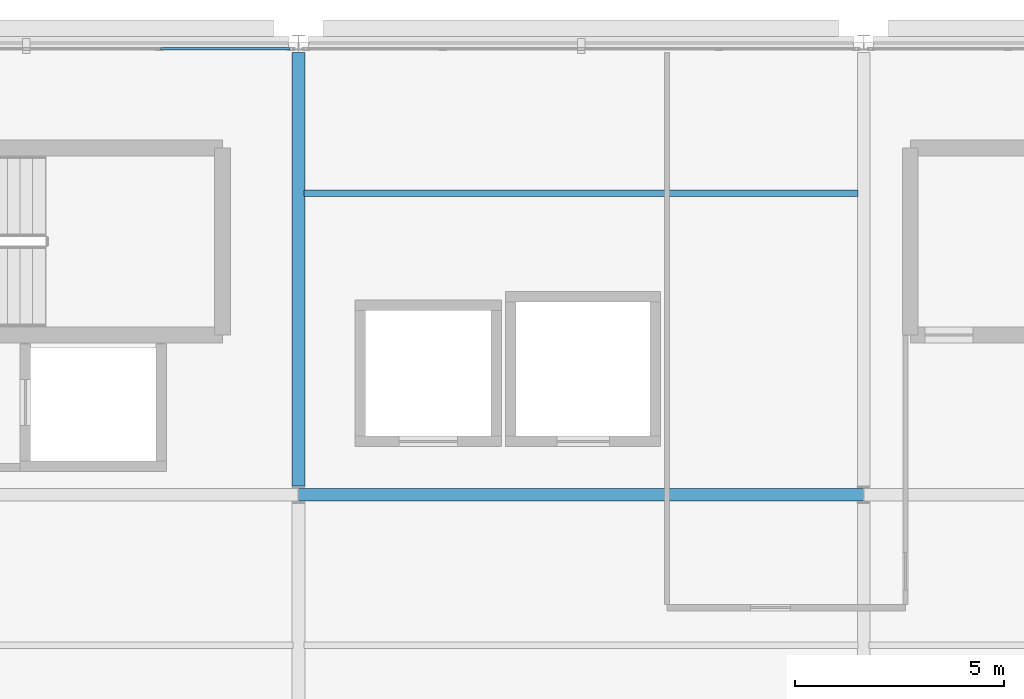
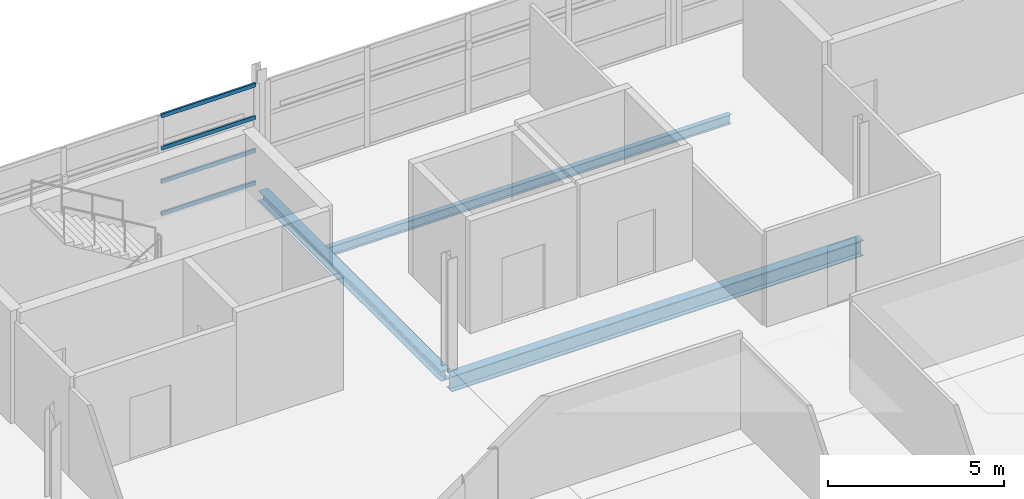
# One storey, part 21 of 33: 4 members, 3 beams, 1 element without a shape of its own.
"""IFC4 building model written with IfcOpenShell, lengths in metres."""

from ifc_helpers import new_model, si_unit, direction, frame, origin, origin_2d, place, context, subcontext, project, spatial, hollow_rectangle, i_section, extrude, material, layer, layer_set, material_profile, profile_set, type_object, element, aggregate, save


model = new_model("IFC4")

# Units and contexts
model_context = context("Model", 3, precision=1e-05, world=origin(), true_north=direction((0.0, 1.0)))
body_context = subcontext(model_context, "Body", "Model", "MODEL_VIEW")
ifc_project = project(units=[si_unit("LENGTHUNIT", "METRE"), si_unit("AREAUNIT", "SQUARE_METRE"), si_unit("VOLUMEUNIT", "CUBIC_METRE"), si_unit("PLANEANGLEUNIT", "RADIAN"), si_unit("MASSUNIT", "GRAM", prefix="KILO")], contexts=[model_context])

# Site, building, storey
site_placement = place(None, origin())
site = spatial("IfcSite", under=ifc_project, at=site_placement, CompositionType="ELEMENT")
building_placement = place(site_placement, origin())
building = spatial("IfcBuilding", under=site, at=building_placement, Name="Tamarisk Ironworks Central Station", CompositionType="ELEMENT")
storey_placement = place(building_placement, frame((0.0, 0.0, 21.300048828125)))
storey = spatial("IfcBuildingStorey", under=building, at=storey_placement, Name="L04", CompositionType="ELEMENT", Elevation=21.300048828125)

# Beams
ifc_material_1 = material(Name="Structural steel S355J2", Category="steel")
ifc_material_profile_1 = material_profile(ifc_material_1, i_section(OverallWidth=0.159912109375, OverallDepth=0.330078125, WebThickness=0.007568359375, FlangeThickness=0.011474609375, at=origin_2d()), Name="IPE 330")
ifc_profile_set_1 = profile_set([ifc_material_profile_1], Name="Structural steel S355J2")
beam_type_1 = type_object("IfcBeamType", Name="BM-B06", PredefinedType="BEAM", material=ifc_profile_set_1)
beam_1_placement = place(storey_placement, frame((153.135009765625, 118.800048828125, -0.385009765625), z_axis=(1.0, 0.0, 0.0), x_axis=(0.0, 1.0, 0.0)))
element("IfcBeam", 1, at=beam_1_placement, inside=storey, type_object=beam_type_1, Name="L04 secondary composite beam 0249", PredefinedType="BEAM", context=body_context, shape_type="SweptSolid", body=[
    extrude(i_section(OverallWidth=0.159912109375, OverallDepth=0.330078125, WebThickness=0.007568359375, FlangeThickness=0.011474609375, at=origin_2d()), origin(), (0.0, 0.0, 1.0), 13.22998046875),
])
ifc_material_profile_2 = material_profile(ifc_material_1, i_section(OverallWidth=0.300048828125, OverallDepth=0.5400390625, WebThickness=0.012451171875, FlangeThickness=0.02392578125, at=origin_2d()), Name="HEA 550")
ifc_profile_set_2 = profile_set([ifc_material_profile_2], Name="Structural steel S355J2")
beam_type_2 = type_object("IfcBeamType", Name="BM-G04", PredefinedType="BEAM", material=ifc_profile_set_2)
beam_2_placement = place(storey_placement, frame((153.00390625, 111.60009765625, -0.489990234375), z_axis=(1.0, 0.0, 0.0), x_axis=(0.0, 1.0, 0.0)))
element("IfcBeam", 2, at=beam_2_placement, inside=storey, type_object=beam_type_2, Name="L04 primary girder X-0723", PredefinedType="BEAM", context=body_context, shape_type="SweptSolid", body=[
    extrude(i_section(OverallWidth=0.300048828125, OverallDepth=0.5400390625, WebThickness=0.012451171875, FlangeThickness=0.02392578125, at=origin_2d()), origin(), (0.0, 0.0, 1.0), 13.4921875),
])
ifc_material_profile_3 = material_profile(ifc_material_1, i_section(OverallWidth=0.300048828125, OverallDepth=0.35009765625, WebThickness=0.010009765625, FlangeThickness=0.017578125, at=origin_2d()), Name="HEA 360")
ifc_profile_set_3 = profile_set([ifc_material_profile_3], Name="Structural steel S355J2")
beam_type_3 = type_object("IfcBeamType", Name="BM-G08", PredefinedType="BEAM", material=ifc_profile_set_3)
beam_3_placement = place(storey_placement, frame((153.0, 111.81298828125, -0.39501953125), z_axis=(0.0, 1.0, 0.0), x_axis=(-1.0, 0.0, 0.0)))
element("IfcBeam", 3, at=beam_3_placement, inside=storey, type_object=beam_type_3, Name="L04 primary girder Y-0742", PredefinedType="BEAM", context=body_context, shape_type="SweptSolid", body=[
    extrude(i_section(OverallWidth=0.300048828125, OverallDepth=0.35009765625, WebThickness=0.010009765625, FlangeThickness=0.017578125, at=origin_2d()), origin(), (0.0, 0.0, 1.0), 10.34912109375),
])

# Curtain wall, members
ifc_material_2 = material(Name="Anodized aluminium alloy 6063-T6", Category="aluminium")
ifc_layer = layer(ifc_material_2, 0.179931640625)
ifc_layer_set = layer_set([ifc_layer], Name="Anodized aluminium alloy 6063-T6")
curtain_wall_type = type_object("IfcCurtainWallType", Name="CW-19", PredefinedType="USERDEFINED", material=ifc_layer_set)
curtain_wall_placement = place(storey_placement, origin())
curtain_wall = element("IfcCurtainWall", 4, at=curtain_wall_placement, inside=storey, type_object=curtain_wall_type, Name="Operations L04 north facade curtain wall 140", ObjectType="GLAZED CURTAIN WALL", PredefinedType="USERDEFINED")
ifc_material_profile_4 = material_profile(ifc_material_2, hollow_rectangle(XDim=0.06494140625, YDim=0.135009765625, WallThickness=0.00341796875, at=origin_2d()), Name="ALUM 135x65")
ifc_profile_set_4 = profile_set([ifc_material_profile_4], Name="Anodized aluminium alloy 6063-T6")
member_type = type_object("IfcMemberType", Name="CWT-02", PredefinedType="USERDEFINED", material=ifc_profile_set_4)
member_1_placement = place(storey_placement, frame((149.70458984375, 122.25, 0.032470703125), z_axis=(1.0, 0.0, 0.0), x_axis=(0.0, 1.0, 0.0)))
member_1 = element("IfcMember", 5, at=member_1_placement, type_object=member_type, Name="CW19 transom 4.1", ObjectType="TRANSOM", PredefinedType="USERDEFINED", context=body_context, shape_type="SweptSolid", body=[
    extrude(hollow_rectangle(XDim=0.06494140625, YDim=0.135009765625, WallThickness=0.00341796875, at=origin_2d()), origin(), (0.0, 0.0, 1.0), 3.08642578125),
])
member_2_placement = place(storey_placement, frame((149.70458984375, 122.25, 1.1533203125), z_axis=(1.0, 0.0, 0.0), x_axis=(0.0, 1.0, 0.0)))
member_2 = element("IfcMember", 6, at=member_2_placement, type_object=member_type, Name="CW19 transom 4.2", ObjectType="TRANSOM", PredefinedType="USERDEFINED", context=body_context, shape_type="SweptSolid", body=[
    extrude(hollow_rectangle(XDim=0.06494140625, YDim=0.135009765625, WallThickness=0.00341796875, at=origin_2d()), origin(), (0.0, 0.0, 1.0), 3.08642578125),
])
member_3_placement = place(storey_placement, frame((149.70458984375, 122.25, 2.306640625), z_axis=(1.0, 0.0, 0.0), x_axis=(0.0, 1.0, 0.0)))
member_3 = element("IfcMember", 7, at=member_3_placement, type_object=member_type, Name="CW19 transom 4.3", ObjectType="TRANSOM", PredefinedType="USERDEFINED", context=body_context, shape_type="SweptSolid", body=[
    extrude(hollow_rectangle(XDim=0.06494140625, YDim=0.135009765625, WallThickness=0.00341796875, at=origin_2d()), origin(), (0.0, 0.0, 1.0), 3.08642578125),
])
member_4_placement = place(storey_placement, frame((149.70458984375, 122.25, 3.427490234375), z_axis=(1.0, 0.0, 0.0), x_axis=(0.0, 1.0, 0.0)))
member_4 = element("IfcMember", 8, at=member_4_placement, type_object=member_type, Name="CW19 transom 4.4", ObjectType="TRANSOM", PredefinedType="USERDEFINED", context=body_context, shape_type="SweptSolid", body=[
    extrude(hollow_rectangle(XDim=0.06494140625, YDim=0.135009765625, WallThickness=0.00341796875, at=origin_2d()), origin(), (0.0, 0.0, 1.0), 3.08642578125),
])
aggregate(curtain_wall, [member_1, member_2, member_3, member_4])

save(model, "model.ifc")
